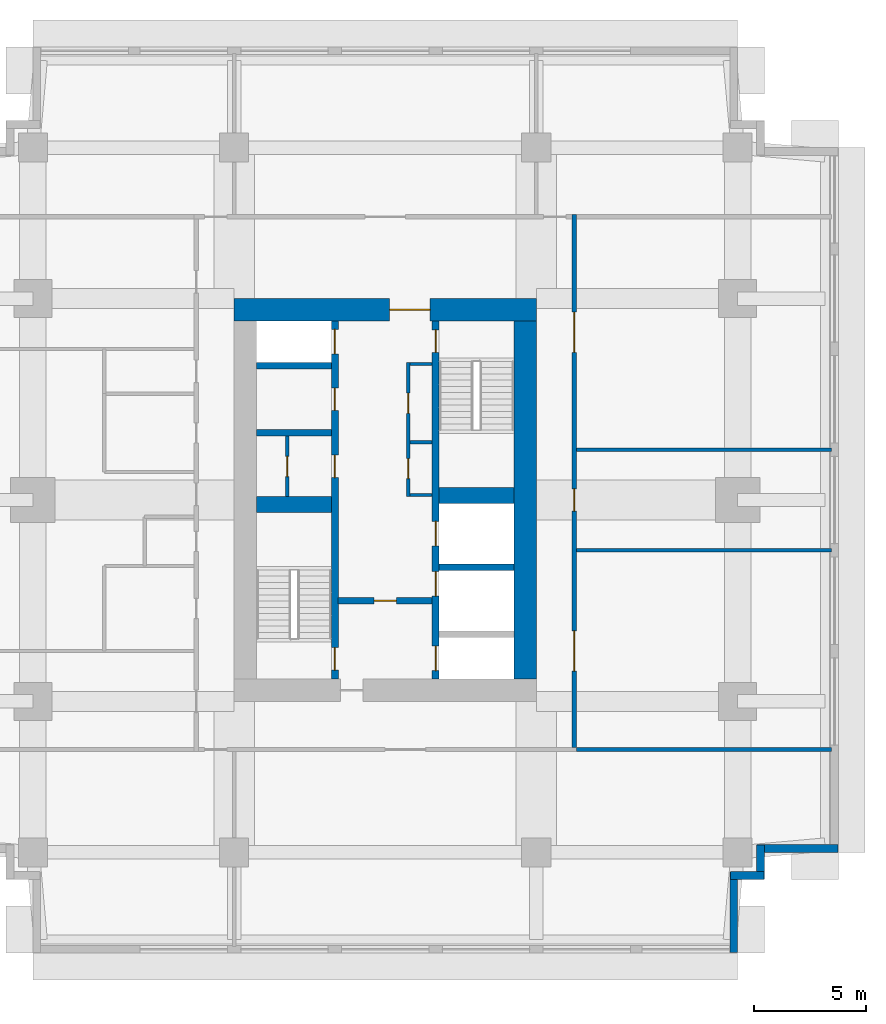
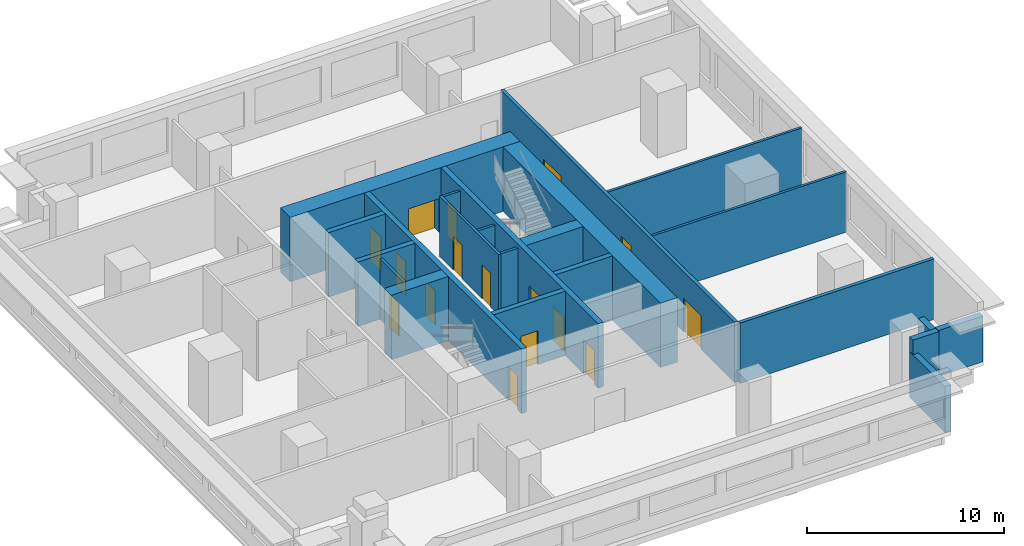
# One storey, part 3 of 5: 23 walls, 16 doors, 16 openings.
"""IFC4 building model written with IfcOpenShell, lengths in metres."""

from ifc_helpers import new_model, si_unit, direction, frame, frame_2d, origin, place, context, subcontext, project, spatial, rectangle, extrude, material, layer, layer_set, type_object, element, fill, save


model = new_model("IFC4")

# Units and contexts
model_context = context("Model", 3, precision=1e-05, world=origin(), true_north=direction((0.0, 1.0)))
body_context = subcontext(model_context, "Body", "Model", "MODEL_VIEW")
ifc_project = project(units=[si_unit("LENGTHUNIT", "METRE"), si_unit("AREAUNIT", "SQUARE_METRE"), si_unit("VOLUMEUNIT", "CUBIC_METRE"), si_unit("PLANEANGLEUNIT", "RADIAN"), si_unit("MASSUNIT", "GRAM", prefix="KILO")], contexts=[model_context])

# Site, building, storey
site_placement = place(None, origin())
site = spatial("IfcSite", under=ifc_project, at=site_placement, CompositionType="ELEMENT")
building_placement = place(site_placement, origin())
building = spatial("IfcBuilding", under=site, at=building_placement, Name="Namib Vertical Campus", CompositionType="ELEMENT")
storey_placement = place(building_placement, frame((0.0, 0.0, 273.0)))
storey = spatial("IfcBuildingStorey", under=building, at=storey_placement, Name="L64", CompositionType="ELEMENT", Elevation=273.0)

# Wall, openings, doors
ifc_material_1 = material(Name="Concrete C60/75", Category="concrete")
ifc_layer_1 = layer(ifc_material_1, 0.300048828125)
ifc_layer_set_1 = layer_set([ifc_layer_1], Name="Concrete C60/75")
wall_type_1 = type_object("IfcWallType", Name="Core inner wall 300", PredefinedType="SHEAR", material=ifc_layer_set_1)
wall_1_placement = place(storey_placement, frame((18.0, 12.25, 0.0), z_axis=(0.0, 0.0, 1.0), x_axis=(0.0, 1.0, 0.0)))
wall_1 = element("IfcWall", 1, at=wall_1_placement, inside=storey, type_object=wall_type_1, Name="Core inner wall A L64 W1", PredefinedType="SHEAR", context=body_context, shape_type="SweptSolid", body=[
    extrude(rectangle(XDim=16.0, YDim=0.300048828125, at=frame_2d((8.0, 0.0))), origin(), (0.0, 0.0, 1.0), 4.0),
])
opening_1_placement = place(wall_1_placement, frame((0.39990234375, 0.0, 0.0)))
opening_1 = element("IfcOpeningElement", 2, at=opening_1_placement, cuts=wall_1, Name="Opening FD1", PredefinedType="OPENING", context=body_context, shape_type="SweptSolid", body=[
    extrude(rectangle(XDim=1.0, YDim=2.10009765625, at=frame_2d((0.5, 1.050048828125))), frame((0.0, 0.159912109375, 0.0), z_axis=(0.0, -1.0, 0.0), x_axis=(1.0, 0.0, 0.0)), (0.0, 0.0, 1.0), 0.320068359375),
])
opening_2_placement = place(wall_1_placement, frame((14.52490234375, 0.0, 0.0)))
opening_2 = element("IfcOpeningElement", 3, at=opening_2_placement, cuts=wall_1, Name="Opening LD1", PredefinedType="OPENING", context=body_context, shape_type="SweptSolid", body=[
    extrude(rectangle(XDim=1.10009765625, YDim=2.10009765625, at=frame_2d((0.550048828125, 1.050048828125))), frame((0.0, 0.159912109375, 0.0), z_axis=(0.0, -1.0, 0.0), x_axis=(1.0, 0.0, 0.0)), (0.0, 0.0, 1.0), 0.320068359375),
])
opening_3_placement = place(wall_1_placement, frame((9.0, 0.0, 0.0)))
opening_3 = element("IfcOpeningElement", 4, at=opening_3_placement, cuts=wall_1, Name="Opening D1", PredefinedType="OPENING", context=body_context, shape_type="SweptSolid", body=[
    extrude(rectangle(XDim=1.0, YDim=2.10009765625, at=frame_2d((0.5, 1.050048828125))), frame((0.0, 0.159912109375, 0.0), z_axis=(0.0, -1.0, 0.0), x_axis=(1.0, 0.0, 0.0)), (0.0, 0.0, 1.0), 0.320068359375),
])
opening_4_placement = place(wall_1_placement, frame((12.0, 0.0, 0.0)))
opening_4 = element("IfcOpeningElement", 5, at=opening_4_placement, cuts=wall_1, Name="Opening D1", PredefinedType="OPENING", context=body_context, shape_type="SweptSolid", body=[
    extrude(rectangle(XDim=1.0, YDim=2.10009765625, at=frame_2d((0.5, 1.050048828125))), frame((0.0, 0.159912109375, 0.0), z_axis=(0.0, -1.0, 0.0), x_axis=(1.0, 0.0, 0.0)), (0.0, 0.0, 1.0), 0.320068359375),
])
ifc_material_2 = material(Name="Timber door leaf", Category="wood")
door_type_1 = type_object("IfcDoorType", Name="Door single 1000x2100", OperationType="SINGLE_SWING_LEFT", PredefinedType="DOOR", material=ifc_material_2)
door_1_placement = place(opening_3_placement, origin())
door_1 = element("IfcDoor", 6, at=door_1_placement, inside=storey, type_object=door_type_1, Name="Door D1 Records store A L64 P1", OperationType="SINGLE_SWING_LEFT", OverallHeight=2.10009765625, OverallWidth=1.0, PredefinedType="DOOR", context=body_context, shape_type="SweptSolid", body=[
    extrude(rectangle(XDim=1.0, YDim=2.10009765625, at=frame_2d((0.5, 1.050048828125))), frame((0.0, 0.02490234375, 0.0), z_axis=(0.0, -1.0, 0.0), x_axis=(1.0, 0.0, 0.0)), (0.0, 0.0, 1.0), 0.050048828125),
])
fill(opening_3, door_1)
door_2_placement = place(opening_4_placement, origin())
door_2 = element("IfcDoor", 7, at=door_2_placement, inside=storey, type_object=door_type_1, Name="Door D1 Staff pantry A L64 P2", OperationType="SINGLE_SWING_LEFT", OverallHeight=2.10009765625, OverallWidth=1.0, PredefinedType="DOOR", context=body_context, shape_type="SweptSolid", body=[
    extrude(rectangle(XDim=1.0, YDim=2.10009765625, at=frame_2d((0.5, 1.050048828125))), frame((0.0, 0.02490234375, 0.0), z_axis=(0.0, -1.0, 0.0), x_axis=(1.0, 0.0, 0.0)), (0.0, 0.0, 1.0), 0.050048828125),
])
fill(opening_4, door_2)
ifc_material_3 = material(Name="Steel fire door", Category="steel")
door_type_2 = type_object("IfcDoorType", Name="Fire door 1000x2100", OperationType="SINGLE_SWING_RIGHT", PredefinedType="DOOR", material=ifc_material_3)
door_3_placement = place(opening_1_placement, origin())
door_3 = element("IfcDoor", 8, at=door_3_placement, inside=storey, type_object=door_type_2, Name="Stair door FD1 A L64 S1", OperationType="SINGLE_SWING_LEFT", OverallHeight=2.10009765625, OverallWidth=1.0, PredefinedType="DOOR", context=body_context, shape_type="SweptSolid", body=[
    extrude(rectangle(XDim=1.0, YDim=2.10009765625, at=frame_2d((0.5, 1.050048828125))), frame((0.0, 0.02490234375, 0.0), z_axis=(0.0, -1.0, 0.0), x_axis=(1.0, 0.0, 0.0)), (0.0, 0.0, 1.0), 0.050048828125),
])
fill(opening_1, door_3)
ifc_material_4 = material(Name="Stainless steel lift door", Category="steel")
door_type_3 = type_object("IfcDoorType", Name="Lift landing door 1100x2100", OperationType="DOUBLE_DOOR_SLIDING", PredefinedType="DOOR", material=ifc_material_4)
door_4_placement = place(opening_2_placement, origin())
door_4 = element("IfcDoor", 9, at=door_4_placement, inside=storey, type_object=door_type_3, Name="Lift landing door LD1 A-P3 L64", OperationType="DOUBLE_DOOR_SLIDING", OverallHeight=2.10009765625, OverallWidth=1.10009765625, PredefinedType="DOOR", context=body_context, shape_type="SweptSolid", body=[
    extrude(rectangle(XDim=1.10009765625, YDim=2.10009765625, at=frame_2d((0.550048828125, 1.050048828125))), frame((0.0, 0.02490234375, 0.0), z_axis=(0.0, -1.0, 0.0), x_axis=(1.0, 0.0, 0.0)), (0.0, 0.0, 1.0), 0.050048828125),
])
fill(opening_2, door_4)

wall_2_placement = place(storey_placement, frame((22.5, 12.25, 0.0), z_axis=(0.0, 0.0, 1.0), x_axis=(0.0, 1.0, 0.0)))
wall_2 = element("IfcWall", 10, at=wall_2_placement, inside=storey, type_object=wall_type_1, Name="Core inner wall A L64 W2", PredefinedType="SHEAR", context=body_context, shape_type="SweptSolid", body=[
    extrude(rectangle(XDim=16.0, YDim=0.300048828125, at=frame_2d((8.0, 0.0))), origin(), (0.0, 0.0, 1.0), 4.0),
])
opening_5_placement = place(wall_2_placement, frame((14.60009765625, 0.0, 0.0)))
opening_5 = element("IfcOpeningElement", 11, at=opening_5_placement, cuts=wall_2, Name="Opening FD1", PredefinedType="OPENING", context=body_context, shape_type="SweptSolid", body=[
    extrude(rectangle(XDim=1.0, YDim=2.10009765625, at=frame_2d((0.5, 1.050048828125))), frame((0.0, 0.159912109375, 0.0), z_axis=(0.0, -1.0, 0.0), x_axis=(1.0, 0.0, 0.0)), (0.0, 0.0, 1.0), 0.320068359375),
])
opening_6_placement = place(wall_2_placement, frame((0.375, 0.0, 0.0)))
opening_6 = element("IfcOpeningElement", 12, at=opening_6_placement, cuts=wall_2, Name="Opening LD1", PredefinedType="OPENING", context=body_context, shape_type="SweptSolid", body=[
    extrude(rectangle(XDim=1.10009765625, YDim=2.10009765625, at=frame_2d((0.550048828125, 1.050048828125))), frame((0.0, 0.159912109375, 0.0), z_axis=(0.0, -1.0, 0.0), x_axis=(1.0, 0.0, 0.0)), (0.0, 0.0, 1.0), 0.320068359375),
])
opening_7_placement = place(wall_2_placement, frame((3.699951171875, 0.0, 0.0)))
opening_7 = element("IfcOpeningElement", 13, at=opening_7_placement, cuts=wall_2, Name="Opening LD1", PredefinedType="OPENING", context=body_context, shape_type="SweptSolid", body=[
    extrude(rectangle(XDim=1.10009765625, YDim=2.10009765625, at=frame_2d((0.550048828125, 1.050048828125))), frame((0.0, 0.159912109375, 0.0), z_axis=(0.0, -1.0, 0.0), x_axis=(1.0, 0.0, 0.0)), (0.0, 0.0, 1.0), 0.320068359375),
])
opening_8_placement = place(wall_2_placement, frame((5.949951171875, 0.0, 0.0)))
opening_8 = element("IfcOpeningElement", 14, at=opening_8_placement, cuts=wall_2, Name="Opening LD1", PredefinedType="OPENING", context=body_context, shape_type="SweptSolid", body=[
    extrude(rectangle(XDim=1.10009765625, YDim=2.10009765625, at=frame_2d((0.550048828125, 1.050048828125))), frame((0.0, 0.159912109375, 0.0), z_axis=(0.0, -1.0, 0.0), x_axis=(1.0, 0.0, 0.0)), (0.0, 0.0, 1.0), 0.320068359375),
])
door_5_placement = place(opening_5_placement, frame((1.0, 0.0, 0.0), z_axis=(0.0, 0.0, 1.0), x_axis=(-1.0, 0.0, 0.0)))
door_5 = element("IfcDoor", 15, at=door_5_placement, inside=storey, type_object=door_type_2, Name="Stair door FD1 A L64 S2", OperationType="SINGLE_SWING_LEFT", OverallHeight=2.10009765625, OverallWidth=1.0, PredefinedType="DOOR", context=body_context, shape_type="SweptSolid", body=[
    extrude(rectangle(XDim=1.0, YDim=2.10009765625, at=frame_2d((0.5, 1.050048828125))), frame((0.0, 0.02490234375, 0.0), z_axis=(0.0, -1.0, 0.0), x_axis=(1.0, 0.0, 0.0)), (0.0, 0.0, 1.0), 0.050048828125),
])
fill(opening_5, door_5)
door_6_placement = place(opening_6_placement, origin())
door_6 = element("IfcDoor", 16, at=door_6_placement, inside=storey, type_object=door_type_3, Name="Lift landing door LD1 A-FL1 L64", OperationType="DOUBLE_DOOR_SLIDING", OverallHeight=2.10009765625, OverallWidth=1.10009765625, PredefinedType="DOOR", context=body_context, shape_type="SweptSolid", body=[
    extrude(rectangle(XDim=1.10009765625, YDim=2.10009765625, at=frame_2d((0.550048828125, 1.050048828125))), frame((0.0, 0.02490234375, 0.0), z_axis=(0.0, -1.0, 0.0), x_axis=(1.0, 0.0, 0.0)), (0.0, 0.0, 1.0), 0.050048828125),
])
fill(opening_6, door_6)
door_7_placement = place(opening_7_placement, origin())
door_7 = element("IfcDoor", 17, at=door_7_placement, inside=storey, type_object=door_type_3, Name="Lift landing door LD1 A-P4 L64", OperationType="DOUBLE_DOOR_SLIDING", OverallHeight=2.10009765625, OverallWidth=1.10009765625, PredefinedType="DOOR", context=body_context, shape_type="SweptSolid", body=[
    extrude(rectangle(XDim=1.10009765625, YDim=2.10009765625, at=frame_2d((0.550048828125, 1.050048828125))), frame((0.0, 0.02490234375, 0.0), z_axis=(0.0, -1.0, 0.0), x_axis=(1.0, 0.0, 0.0)), (0.0, 0.0, 1.0), 0.050048828125),
])
fill(opening_7, door_7)
door_8_placement = place(opening_8_placement, origin())
door_8 = element("IfcDoor", 18, at=door_8_placement, inside=storey, type_object=door_type_3, Name="Lift landing door LD1 A-P5 L64", OperationType="DOUBLE_DOOR_SLIDING", OverallHeight=2.10009765625, OverallWidth=1.10009765625, PredefinedType="DOOR", context=body_context, shape_type="SweptSolid", body=[
    extrude(rectangle(XDim=1.10009765625, YDim=2.10009765625, at=frame_2d((0.550048828125, 1.050048828125))), frame((0.0, 0.02490234375, 0.0), z_axis=(0.0, -1.0, 0.0), x_axis=(1.0, 0.0, 0.0)), (0.0, 0.0, 1.0), 0.050048828125),
])
fill(opening_8, door_8)

# Wall, opening, door
wall_3_placement = place(storey_placement, frame((18.14990234375, 15.75, 0.0), z_axis=(0.0, 0.0, 1.0), x_axis=(1.0, 0.0, 0.0)))
wall_3 = element("IfcWall", 19, at=wall_3_placement, inside=storey, type_object=wall_type_1, Name="Core inner wall A L64 W4", PredefinedType="SHEAR", context=body_context, shape_type="SweptSolid", body=[
    extrude(rectangle(XDim=4.2001953125, YDim=0.300048828125, at=frame_2d((2.10009765625, 0.0))), origin(), (0.0, 0.0, 1.0), 4.0),
])
opening_9_placement = place(wall_3_placement, frame((1.60009765625, 0.0, 0.0)))
opening_9 = element("IfcOpeningElement", 20, at=opening_9_placement, cuts=wall_3, Name="Opening FD5", PredefinedType="OPENING", context=body_context, shape_type="SweptSolid", body=[
    extrude(rectangle(XDim=1.0, YDim=2.10009765625, at=frame_2d((0.5, 1.050048828125))), frame((0.0, 0.159912109375, 0.0), z_axis=(0.0, -1.0, 0.0), x_axis=(1.0, 0.0, 0.0)), (0.0, 0.0, 1.0), 0.320068359375),
])
ifc_material_5 = material(Name="Steel fire door", Category="steel")
door_type_4 = type_object("IfcDoorType", Name="Fire door 1000x2100 120 min", OperationType="SINGLE_SWING_RIGHT", PredefinedType="DOOR", material=ifc_material_5)
door_9_placement = place(opening_9_placement, frame((1.0, 0.0, 0.0), z_axis=(0.0, 0.0, 1.0), x_axis=(-1.0, 0.0, 0.0)))
door_9 = element("IfcDoor", 21, at=door_9_placement, inside=storey, type_object=door_type_4, Name="Lobby door FD5 A L64", OperationType="SINGLE_SWING_RIGHT", OverallHeight=2.10009765625, OverallWidth=1.0, PredefinedType="DOOR", context=body_context, shape_type="SweptSolid", body=[
    extrude(rectangle(XDim=1.0, YDim=2.10009765625, at=frame_2d((0.5, 1.050048828125))), frame((0.0, 0.02490234375, 0.0), z_axis=(0.0, -1.0, 0.0), x_axis=(1.0, 0.0, 0.0)), (0.0, 0.0, 1.0), 0.050048828125),
])
fill(opening_9, door_9)

# Walls
for number, where, z_axis, x_axis, name in (
    (22, (22.64990234375, 17.25, 0.0), (0.0, 0.0, 1.0), (1.0, 0.0, 0.0), "Core inner wall A L64 W6"),
    (23, (14.5, 23.25, 0.0), (0.0, 0.0, 1.0), (1.0, 0.0, 0.0), "Core inner wall A L64 W8"),
    (24, (14.5, 26.25, 0.0), (0.0, 0.0, 1.0), (1.0, 0.0, 0.0), "Core inner wall A L64 W9"),
):
    element("IfcWall", number, at=place(storey_placement, frame(where, z_axis=z_axis, x_axis=x_axis)), inside=storey, type_object=wall_type_1, Name=name, PredefinedType="SHEAR", context=body_context, shape_type="SweptSolid", body=[
        extrude(rectangle(XDim=3.35009765625, YDim=0.300048828125, at=frame_2d((1.675048828125, 0.0))), origin(), (0.0, 0.0, 1.0), 4.0),
    ])
ifc_material_6 = material(Name="Concrete C60/75", Category="concrete")
ifc_layer_2 = layer(ifc_material_6, 0.699951171875)
ifc_layer_set_2 = layer_set([ifc_layer_2], Name="Concrete C60/75")
wall_type_2 = type_object("IfcWallType", Name="Core shear wall 700", PredefinedType="SHEAR", material=ifc_layer_set_2)
for number, where, z_axis, x_axis, name in (
    (25, (14.5, 20.050048828125, 0.0), (0.0, 0.0, 1.0), (1.0, 0.0, 0.0), "Core shear wall A L64 W3"),
    (26, (22.64990234375, 20.449951171875, 0.0), (0.0, 0.0, 1.0), (1.0, 0.0, 0.0), "Core shear wall A L64 W7"),
):
    element("IfcWall", number, at=place(storey_placement, frame(where, z_axis=z_axis, x_axis=x_axis)), inside=storey, type_object=wall_type_2, Name=name, PredefinedType="SHEAR", context=body_context, shape_type="SweptSolid", body=[
        extrude(rectangle(XDim=3.35009765625, YDim=0.699951171875, at=frame_2d((1.675048828125, 0.0))), origin(), (0.0, 0.0, 1.0), 4.0),
    ])
ifc_material_7 = material(Name="Concrete C60/75", Category="concrete")
ifc_layer_3 = layer(ifc_material_7, 1.0)
ifc_layer_set_3 = layer_set([ifc_layer_3], Name="Concrete C60/75")
wall_type_3 = type_object("IfcWallType", Name="Core wall 1000", PredefinedType="SHEAR", material=ifc_layer_set_3)
wall_4_placement = place(storey_placement, frame((26.5, 12.25, 0.0), z_axis=(0.0, 0.0, 1.0), x_axis=(0.0, 1.0, 0.0)))
element("IfcWall", 27, at=wall_4_placement, inside=storey, type_object=wall_type_3, Name="Core wall A L64 2", PredefinedType="SHEAR", context=body_context, shape_type="SweptSolid", body=[
    extrude(rectangle(XDim=16.0, YDim=1.0, at=frame_2d((8.0, 0.0))), origin(), (0.0, 0.0, 1.0), 4.0),
])

# Wall, opening, door
wall_5_placement = place(storey_placement, frame((27.0, 28.75, 0.0), z_axis=(0.0, 0.0, 1.0), x_axis=(-1.0, 0.0, 0.0)))
wall_5 = element("IfcWall", 28, at=wall_5_placement, inside=storey, type_object=wall_type_3, Name="Core wall A L64 3", PredefinedType="SHEAR", context=body_context, shape_type="SweptSolid", body=[
    extrude(rectangle(XDim=13.5, YDim=1.0, at=frame_2d((6.75, 0.0))), origin(), (0.0, 0.0, 1.0), 4.0),
])
opening_10_placement = place(wall_5_placement, frame((4.75, 0.0, 0.0)))
opening_10 = element("IfcOpeningElement", 29, at=opening_10_placement, cuts=wall_5, Name="Opening FD2", PredefinedType="OPENING", context=body_context, shape_type="SweptSolid", body=[
    extrude(rectangle(XDim=1.800048828125, YDim=2.10009765625, at=frame_2d((0.89990234375, 1.050048828125))), frame((0.0, 0.510009765625, 0.0), z_axis=(0.0, -1.0, 0.0), x_axis=(1.0, 0.0, 0.0)), (0.0, 0.0, 1.0), 1.02001953125),
])
ifc_material_8 = material(Name="Steel fire door", Category="steel")
door_type_5 = type_object("IfcDoorType", Name="Fire door double 1800x2100", OperationType="DOUBLE_DOOR_SINGLE_SWING", PredefinedType="DOOR", material=ifc_material_8)
door_10_placement = place(opening_10_placement, origin())
door_10 = element("IfcDoor", 30, at=door_10_placement, inside=storey, type_object=door_type_5, Name="Lift lobby door FD2 A L64", OperationType="DOUBLE_DOOR_SINGLE_SWING", OverallHeight=2.10009765625, OverallWidth=1.800048828125, PredefinedType="DOOR", context=body_context, shape_type="SweptSolid", body=[
    extrude(rectangle(XDim=1.800048828125, YDim=2.10009765625, at=frame_2d((0.89990234375, 1.050048828125))), frame((0.0, 0.02490234375, 0.0), z_axis=(0.0, -1.0, 0.0), x_axis=(1.0, 0.0, 0.0)), (0.0, 0.0, 1.0), 0.050048828125),
])
fill(opening_10, door_10)

# Wall, openings, doors
ifc_material_9 = material(Name="Concrete masonry", Category="masonry")
ifc_layer_4 = layer(ifc_material_9, 0.199951171875)
ifc_layer_set_4 = layer_set([ifc_layer_4], Name="Corridor wall 200")
wall_type_4 = type_object("IfcWallType", Name="Corridor wall 200", PredefinedType="SOLIDWALL", material=ifc_layer_set_4)
wall_6_placement = place(storey_placement, frame((28.699951171875, 9.199951171875, 0.0), z_axis=(0.0, 0.0, 1.0), x_axis=(0.0, 1.0, 0.0)))
wall_6 = element("IfcWall", 31, at=wall_6_placement, inside=storey, type_object=wall_type_4, Name="Corridor wall A L64 CE", PredefinedType="SOLIDWALL", context=body_context, shape_type="SweptSolid", body=[
    extrude(rectangle(XDim=23.800048828125, YDim=0.199951171875, at=frame_2d((11.89990234375, 0.0))), origin(), (0.0, 0.0, 1.0), 3.75),
])
opening_11_placement = place(wall_6_placement, frame((3.39990234375, 0.0, 0.0)))
opening_11 = element("IfcOpeningElement", 32, at=opening_11_placement, cuts=wall_6, Name="Opening CD2", PredefinedType="OPENING", context=body_context, shape_type="SweptSolid", body=[
    extrude(rectangle(XDim=1.800048828125, YDim=2.10009765625, at=frame_2d((0.89990234375, 1.050048828125))), frame((0.0, 0.10986328125, 0.0), z_axis=(0.0, -1.0, 0.0), x_axis=(1.0, 0.0, 0.0)), (0.0, 0.0, 1.0), 0.219970703125),
])
opening_12_placement = place(wall_6_placement, frame((10.550048828125, 0.0, 0.0)))
opening_12 = element("IfcOpeningElement", 33, at=opening_12_placement, cuts=wall_6, Name="Opening CD1", PredefinedType="OPENING", context=body_context, shape_type="SweptSolid", body=[
    extrude(rectangle(XDim=1.0, YDim=2.10009765625, at=frame_2d((0.5, 1.050048828125))), frame((0.0, 0.10986328125, 0.0), z_axis=(0.0, -1.0, 0.0), x_axis=(1.0, 0.0, 0.0)), (0.0, 0.0, 1.0), 0.219970703125),
])
opening_13_placement = place(wall_6_placement, frame((17.64990234375, 0.0, 0.0)))
opening_13 = element("IfcOpeningElement", 34, at=opening_13_placement, cuts=wall_6, Name="Opening CD2", PredefinedType="OPENING", context=body_context, shape_type="SweptSolid", body=[
    extrude(rectangle(XDim=1.800048828125, YDim=2.10009765625, at=frame_2d((0.89990234375, 1.050048828125))), frame((0.0, 0.10986328125, 0.0), z_axis=(0.0, -1.0, 0.0), x_axis=(1.0, 0.0, 0.0)), (0.0, 0.0, 1.0), 0.219970703125),
])
ifc_material_10 = material(Name="Timber fire door leaf", Category="wood")
door_type_6 = type_object("IfcDoorType", Name="Corridor door 1000x2100 20 min", OperationType="SINGLE_SWING_LEFT", PredefinedType="DOOR", material=ifc_material_10)
door_11_placement = place(opening_12_placement, frame((1.0, 0.0, 0.0), z_axis=(0.0, 0.0, 1.0), x_axis=(-1.0, 0.0, 0.0)))
door_11 = element("IfcDoor", 35, at=door_11_placement, inside=storey, type_object=door_type_6, Name="Door CD1 A64-04", OperationType="SINGLE_SWING_RIGHT", OverallHeight=2.10009765625, OverallWidth=1.0, PredefinedType="DOOR", context=body_context, shape_type="SweptSolid", body=[
    extrude(rectangle(XDim=1.0, YDim=2.10009765625, at=frame_2d((0.5, 1.050048828125))), frame((0.0, 0.02490234375, 0.0), z_axis=(0.0, -1.0, 0.0), x_axis=(1.0, 0.0, 0.0)), (0.0, 0.0, 1.0), 0.050048828125),
])
fill(opening_12, door_11)
ifc_material_11 = material(Name="Timber fire door leaf", Category="wood")
door_type_7 = type_object("IfcDoorType", Name="Corridor door double 1800x2100 20 min", OperationType="DOUBLE_DOOR_SINGLE_SWING", PredefinedType="DOOR", material=ifc_material_11)
door_12_placement = place(opening_11_placement, frame((1.800048828125, 0.0, 0.0), z_axis=(0.0, 0.0, 1.0), x_axis=(-1.0, 0.0, 0.0)))
door_12 = element("IfcDoor", 36, at=door_12_placement, inside=storey, type_object=door_type_7, Name="Door CD2 A64-03", OperationType="DOUBLE_DOOR_SINGLE_SWING", OverallHeight=2.10009765625, OverallWidth=1.800048828125, PredefinedType="DOOR", context=body_context, shape_type="SweptSolid", body=[
    extrude(rectangle(XDim=1.800048828125, YDim=2.10009765625, at=frame_2d((0.89990234375, 1.050048828125))), frame((0.0, 0.02490234375, 0.0), z_axis=(0.0, -1.0, 0.0), x_axis=(1.0, 0.0, 0.0)), (0.0, 0.0, 1.0), 0.050048828125),
])
fill(opening_11, door_12)
door_13_placement = place(opening_13_placement, frame((1.800048828125, 0.0, 0.0), z_axis=(0.0, 0.0, 1.0), x_axis=(-1.0, 0.0, 0.0)))
door_13 = element("IfcDoor", 37, at=door_13_placement, inside=storey, type_object=door_type_7, Name="Door CD2 A64-05", OperationType="DOUBLE_DOOR_SINGLE_SWING", OverallHeight=2.10009765625, OverallWidth=1.800048828125, PredefinedType="DOOR", context=body_context, shape_type="SweptSolid", body=[
    extrude(rectangle(XDim=1.800048828125, YDim=2.10009765625, at=frame_2d((0.89990234375, 1.050048828125))), frame((0.0, 0.02490234375, 0.0), z_axis=(0.0, -1.0, 0.0), x_axis=(1.0, 0.0, 0.0)), (0.0, 0.0, 1.0), 0.050048828125),
])
fill(opening_13, door_13)

# Walls
wall_7_placement = place(storey_placement, frame((28.800048828125, 9.10009765625, 0.0), z_axis=(0.0, 0.0, 1.0), x_axis=(1.0, 0.0, 0.0)))
element("IfcWall", 38, at=wall_7_placement, inside=storey, type_object=wall_type_4, Name="Partition A L64 BSE", PredefinedType="SOLIDWALL", context=body_context, shape_type="SweptSolid", body=[
    extrude(rectangle(XDim=11.39990234375, YDim=0.199951171875, at=frame_2d((5.699951171875, 0.0))), origin(), (0.0, 0.0, 1.0), 3.75),
])
ifc_material_12 = material(Name="Concrete C40/50", Category="concrete")
ifc_layer_5 = layer(ifc_material_12, 0.35009765625)
ifc_layer_set_5 = layer_set([ifc_layer_5], Name="Concrete C40/50")
wall_type_5 = type_object("IfcWallType", Name="External wall 350 bush-hammered concrete", PredefinedType="STANDARD", material=ifc_layer_set_5)
wall_8_placement = place(storey_placement, frame((35.824951171875, 0.02001953125, 0.0), z_axis=(0.0, 0.0, 1.0), x_axis=(0.0, 1.0, 0.0)))
element("IfcWall", 39, at=wall_8_placement, inside=storey, type_object=wall_type_5, Name="External wall L64 F02", PredefinedType="STANDARD", context=body_context, shape_type="SweptSolid", body=[
    extrude(rectangle(XDim=3.60986328125, YDim=0.35009765625, at=frame_2d((1.804931640625, 0.0))), origin(), (0.0, 0.0, 1.0), 2.85009765625),
])
for number, where, z_axis, x_axis, name in (
    (40, (35.669921875, 3.47509765625, 0.0), (0.0, 0.0, 1.0), (1.0, 0.0, 0.0), "External wall L64 F03"),
    (41, (37.02490234375, 3.320068359375, 0.0), (0.0, 0.0, 1.0), (0.0, 1.0, 0.0), "External wall L64 F04"),
):
    element("IfcWall", number, at=place(storey_placement, frame(where, z_axis=z_axis, x_axis=x_axis)), inside=storey, type_object=wall_type_5, Name=name, PredefinedType="STANDARD", context=body_context, shape_type="SweptSolid", body=[
        extrude(rectangle(XDim=1.510009765625, YDim=0.35009765625, at=frame_2d((0.7548828125, 0.0))), origin(), (0.0, 0.0, 1.0), 3.75),
    ])
wall_9_placement = place(storey_placement, frame((36.8701171875, 4.675048828125, 0.0), z_axis=(0.0, 0.0, 1.0), x_axis=(1.0, 0.0, 0.0)))
element("IfcWall", 42, at=wall_9_placement, inside=storey, type_object=wall_type_5, Name="External wall L64 F05", PredefinedType="STANDARD", context=body_context, shape_type="SweptSolid", body=[
    extrude(rectangle(XDim=3.60986328125, YDim=0.35009765625, at=frame_2d((1.804931640625, 0.0))), origin(), (0.0, 0.0, 1.0), 2.85009765625),
])

# Wall, openings, doors
ifc_material_13 = material(Name="Gypsum board on steel studs", Category="steel")
ifc_layer_6 = layer(ifc_material_13, 0.14990234375)
ifc_layer_set_6 = layer_set([ifc_layer_6], Name="Gypsum board on steel studs")
wall_type_6 = type_object("IfcWallType", Name="Partition 150", PredefinedType="PARTITIONING", material=ifc_layer_set_6)
wall_10_placement = place(storey_placement, frame((21.27490234375, 20.39990234375, 0.0), z_axis=(0.0, 0.0, 1.0), x_axis=(0.0, 1.0, 0.0)))
wall_10 = element("IfcWall", 43, at=wall_10_placement, inside=storey, type_object=wall_type_6, Name="Partition A L64 Cleaners' store and Tea point front", PredefinedType="PARTITIONING", context=body_context, shape_type="SweptSolid", body=[
    extrude(rectangle(XDim=6.0, YDim=0.14990234375, at=frame_2d((3.0, 0.0))), origin(), (0.0, 0.0, 1.0), 3.75),
])
opening_14_placement = place(wall_10_placement, frame((0.800048828125, 0.0, 0.0)))
opening_14 = element("IfcOpeningElement", 44, at=opening_14_placement, cuts=wall_10, Name="Opening D3", PredefinedType="OPENING", context=body_context, shape_type="SweptSolid", body=[
    extrude(rectangle(XDim=0.89990234375, YDim=2.10009765625, at=frame_2d((0.449951171875, 1.050048828125))), frame((0.0, 0.0849609375, 0.0), z_axis=(0.0, -1.0, 0.0), x_axis=(1.0, 0.0, 0.0)), (0.0, 0.0, 1.0), 0.169921875),
])
opening_15_placement = place(wall_10_placement, frame((3.72509765625, 0.0, 0.0)))
opening_15 = element("IfcOpeningElement", 45, at=opening_15_placement, cuts=wall_10, Name="Opening D3", PredefinedType="OPENING", context=body_context, shape_type="SweptSolid", body=[
    extrude(rectangle(XDim=0.89990234375, YDim=2.10009765625, at=frame_2d((0.449951171875, 1.050048828125))), frame((0.0, 0.0849609375, 0.0), z_axis=(0.0, -1.0, 0.0), x_axis=(1.0, 0.0, 0.0)), (0.0, 0.0, 1.0), 0.169921875),
])
ifc_material_14 = material(Name="Timber door leaf", Category="wood")
door_type_8 = type_object("IfcDoorType", Name="Toilet door 900x2100", OperationType="SINGLE_SWING_LEFT", PredefinedType="DOOR", material=ifc_material_14)
door_14_placement = place(opening_14_placement, frame((0.89990234375, 0.0, 0.0), z_axis=(0.0, 0.0, 1.0), x_axis=(-1.0, 0.0, 0.0)))
door_14 = element("IfcDoor", 46, at=door_14_placement, inside=storey, type_object=door_type_8, Name="Door D3 Cleaners' store A L64", OperationType="SINGLE_SWING_RIGHT", OverallHeight=2.10009765625, OverallWidth=0.89990234375, PredefinedType="DOOR", context=body_context, shape_type="SweptSolid", body=[
    extrude(rectangle(XDim=0.89990234375, YDim=2.10009765625, at=frame_2d((0.449951171875, 1.050048828125))), frame((0.0, 0.02490234375, 0.0), z_axis=(0.0, -1.0, 0.0), x_axis=(1.0, 0.0, 0.0)), (0.0, 0.0, 1.0), 0.050048828125),
])
fill(opening_14, door_14)
door_15_placement = place(opening_15_placement, frame((0.89990234375, 0.0, 0.0), z_axis=(0.0, 0.0, 1.0), x_axis=(-1.0, 0.0, 0.0)))
door_15 = element("IfcDoor", 47, at=door_15_placement, inside=storey, type_object=door_type_8, Name="Door D3 Tea point A L64", OperationType="SINGLE_SWING_RIGHT", OverallHeight=2.10009765625, OverallWidth=0.89990234375, PredefinedType="DOOR", context=body_context, shape_type="SweptSolid", body=[
    extrude(rectangle(XDim=0.89990234375, YDim=2.10009765625, at=frame_2d((0.449951171875, 1.050048828125))), frame((0.0, 0.02490234375, 0.0), z_axis=(0.0, -1.0, 0.0), x_axis=(1.0, 0.0, 0.0)), (0.0, 0.0, 1.0), 0.050048828125),
])
fill(opening_15, door_15)

# Walls
for number, where, z_axis, x_axis, name in (
    (48, (21.35009765625, 20.47509765625, 0.0), (0.0, 0.0, 1.0), (1.0, 0.0, 0.0), "Partition A L64 Cleaners' store and Tea point end 1"),
    (49, (21.35009765625, 22.824951171875, 0.0), (0.0, 0.0, 1.0), (1.0, 0.0, 0.0), "Partition A L64 Cleaners' store and Tea point division 2"),
    (50, (21.35009765625, 26.324951171875, 0.0), (0.0, 0.0, 1.0), (1.0, 0.0, 0.0), "Partition A L64 Cleaners' store and Tea point end 3"),
):
    element("IfcWall", number, at=place(storey_placement, frame(where, z_axis=z_axis, x_axis=x_axis)), inside=storey, type_object=wall_type_6, Name=name, PredefinedType="PARTITIONING", context=body_context, shape_type="SweptSolid", body=[
        extrude(rectangle(XDim=1.0, YDim=0.14990234375, at=frame_2d((0.5, 0.0))), origin(), (0.0, 0.0, 1.0), 3.75),
    ])

# Wall, opening, door
wall_11_placement = place(storey_placement, frame((15.875, 20.39990234375, 0.0), z_axis=(0.0, 0.0, 1.0), x_axis=(0.0, 1.0, 0.0)))
wall_11 = element("IfcWall", 51, at=wall_11_placement, inside=storey, type_object=wall_type_6, Name="Partition A L64 Records store P1 back", PredefinedType="PARTITIONING", context=body_context, shape_type="SweptSolid", body=[
    extrude(rectangle(XDim=2.7001953125, YDim=0.14990234375, at=frame_2d((1.35009765625, 0.0))), origin(), (0.0, 0.0, 1.0), 3.75),
])
opening_16_placement = place(wall_11_placement, frame((0.89990234375, 0.0, 0.0)))
opening_16 = element("IfcOpeningElement", 52, at=opening_16_placement, cuts=wall_11, Name="Opening D3", PredefinedType="OPENING", context=body_context, shape_type="SweptSolid", body=[
    extrude(rectangle(XDim=0.89990234375, YDim=2.10009765625, at=frame_2d((0.449951171875, 1.050048828125))), frame((0.0, 0.0849609375, 0.0), z_axis=(0.0, -1.0, 0.0), x_axis=(1.0, 0.0, 0.0)), (0.0, 0.0, 1.0), 0.169921875),
])
door_16_placement = place(opening_16_placement, origin())
door_16 = element("IfcDoor", 53, at=door_16_placement, inside=storey, type_object=door_type_8, Name="Door D3 Store A L64 P1", OperationType="SINGLE_SWING_LEFT", OverallHeight=2.10009765625, OverallWidth=0.89990234375, PredefinedType="DOOR", context=body_context, shape_type="SweptSolid", body=[
    extrude(rectangle(XDim=0.89990234375, YDim=2.10009765625, at=frame_2d((0.449951171875, 1.050048828125))), frame((0.0, 0.02490234375, 0.0), z_axis=(0.0, -1.0, 0.0), x_axis=(1.0, 0.0, 0.0)), (0.0, 0.0, 1.0), 0.050048828125),
])
fill(opening_16, door_16)

# Walls
for number, where, z_axis, x_axis, name in (
    (54, (28.800048828125, 18.0, 0.0), (0.0, 0.0, 1.0), (1.0, 0.0, 0.0), "Partition A L64 PE1"),
    (55, (28.800048828125, 22.5, 0.0), (0.0, 0.0, 1.0), (1.0, 0.0, 0.0), "Partition A L64 PE2"),
):
    element("IfcWall", number, at=place(storey_placement, frame(where, z_axis=z_axis, x_axis=x_axis)), inside=storey, type_object=wall_type_6, Name=name, PredefinedType="PARTITIONING", context=body_context, shape_type="SweptSolid", body=[
        extrude(rectangle(XDim=11.39990234375, YDim=0.14990234375, at=frame_2d((5.699951171875, 0.0))), origin(), (0.0, 0.0, 1.0), 3.75),
    ])

save(model, "model.ifc")
